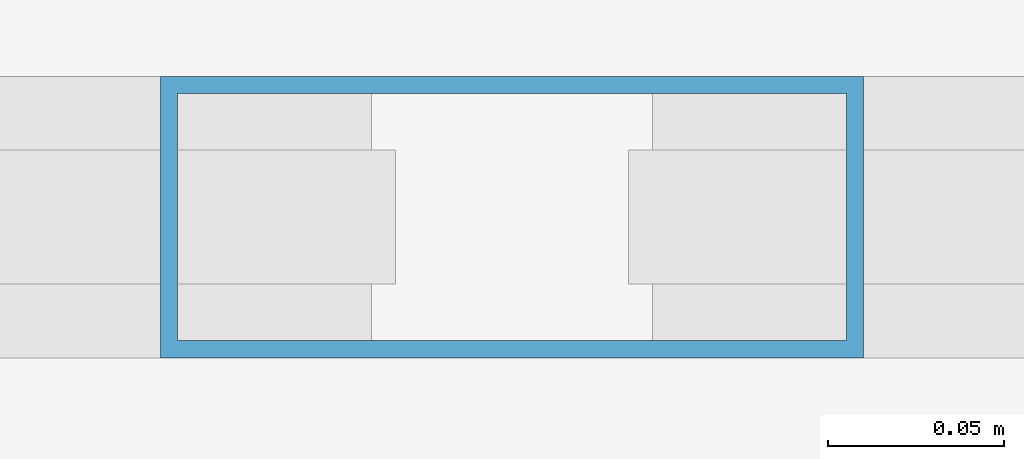
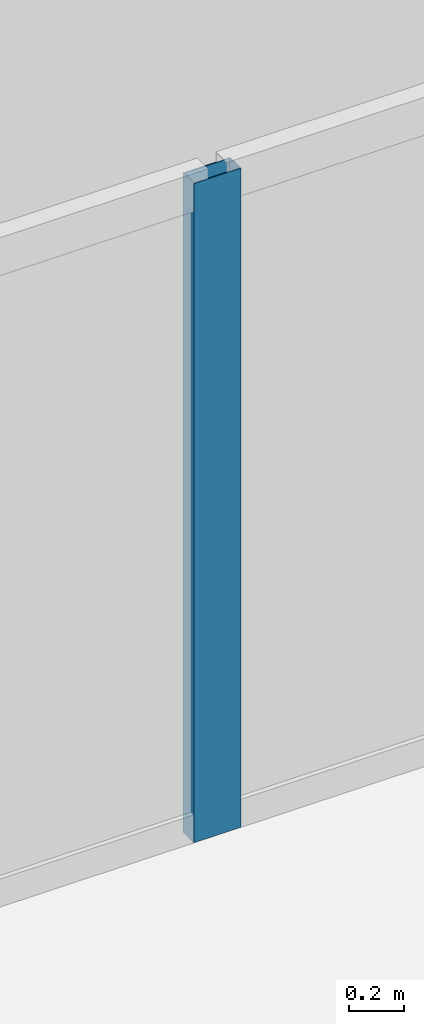
# One storey, part 12 of 21: 1 member, 1 element without a shape of its own.
"""IFC4 building model written with IfcOpenShell, lengths in metres."""

from ifc_helpers import new_model, si_unit, direction, frame, origin, origin_2d, place, context, subcontext, project, spatial, hollow_rectangle, extrude, source, transform, mapped, material, layer, layer_set, material_profile, profile_set, type_object, element, aggregate, save


model = new_model("IFC4")

# Units and contexts
model_context = context("Model", 3, precision=1e-05, world=origin(), true_north=direction((0.0, 1.0)))
body_context = subcontext(model_context, "Body", "Model", "MODEL_VIEW")
ifc_project = project(units=[si_unit("LENGTHUNIT", "METRE"), si_unit("AREAUNIT", "SQUARE_METRE"), si_unit("VOLUMEUNIT", "CUBIC_METRE"), si_unit("PLANEANGLEUNIT", "RADIAN"), si_unit("MASSUNIT", "GRAM", prefix="KILO")], contexts=[model_context])

# Site, building, storey
site_placement = place(None, origin())
site = spatial("IfcSite", under=ifc_project, at=site_placement, CompositionType="ELEMENT")
building_placement = place(site_placement, origin())
building = spatial("IfcBuilding", under=site, at=building_placement, Name="Kolveth Station Tower", CompositionType="ELEMENT")
storey_placement = place(building_placement, frame((0.0, 0.0, 137.5)))
storey = spatial("IfcBuildingStorey", under=building, at=storey_placement, Name="L38", CompositionType="ELEMENT", Elevation=137.5)

# Curtain wall, member
ifc_material_1 = material(Name="Aluminium 6063-T6 and low-E dark glass", Category="aluminium")
ifc_layer = layer(ifc_material_1, 0.18994140625)
ifc_layer_set = layer_set([ifc_layer], Name="Aluminium 6063-T6 and low-E dark glass")
curtain_wall_type = type_object("IfcCurtainWallType", Name="CurtainWall_CW-Z2", PredefinedType="NOTDEFINED", material=ifc_layer_set)
curtain_wall_placement = place(storey_placement, origin())
curtain_wall = element("IfcCurtainWall", 1, at=curtain_wall_placement, inside=storey, type_object=curtain_wall_type, Name="L38 Inner Thermal Curtain Wall 6", PredefinedType="NOTDEFINED")
ifc_material_2 = material(Name="Black anodized aluminium 6063-T6", Category="aluminium")
ifc_material_profile = material_profile(ifc_material_2, hollow_rectangle(XDim=0.080078125, YDim=0.199951171875, WallThickness=0.0048828125, at=origin_2d()), Name="ALU-80x200x5")
ifc_profile_set = profile_set([ifc_material_profile], Name="Black anodized aluminium 6063-T6")
member_type = type_object("IfcMemberType", Name="Mullion_ML2", PredefinedType="MULLION", material=ifc_profile_set)
shared_shape = source(origin(), body_context, "Body", "SweptSolid", [
    extrude(hollow_rectangle(XDim=0.080078125, YDim=0.199951171875, WallThickness=0.0048828125, at=origin_2d()), origin(), (0.0, 0.0, 1.0), 2.949951171875),
])
member_placement = place(storey_placement, frame((23.5, 35.179931640625, 0.0), z_axis=(0.0, 0.0, 1.0), x_axis=(0.0, -1.0, 0.0)))
member = element("IfcMember", 2, at=member_placement, type_object=member_type, Name="CW-Z2 mullion 2", PredefinedType="MULLION", context=body_context, shape_type="MappedRepresentation", body=[
    mapped(shared_shape, transform((0.0, 0.0, 0.0), x_axis=(1.0, 0.0, 0.0), y_axis=(0.0, 1.0, 0.0), z_axis=(0.0, 0.0, 1.0), scale=1.0)),
])
aggregate(curtain_wall, [member])

save(model, "model.ifc")
